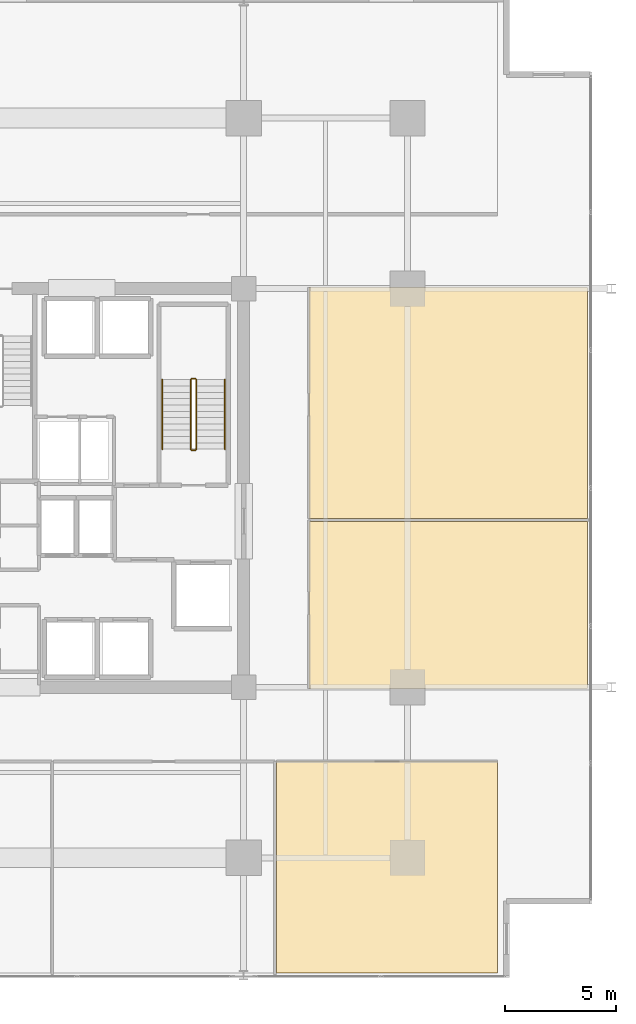
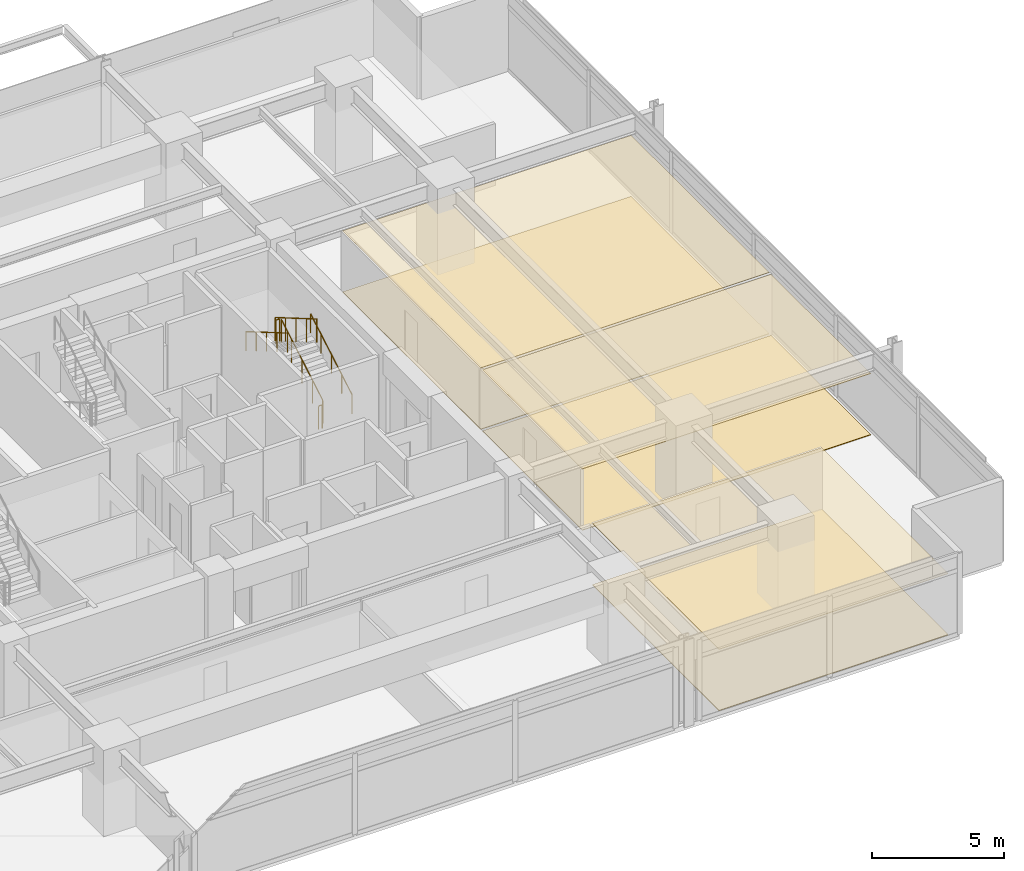
# One storey, part 19 of 20: 6 coverings, 6 railings.
"""IFC4 building model written with IfcOpenShell, lengths in metres."""

from ifc_helpers import new_model, si_unit, direction, frame, origin, origin_2d, place, context, subcontext, project, spatial, polyline, circle, outline, extrude, material, layer, layer_set, type_object, element, save


model = new_model("IFC4")

# Units and contexts
model_context = context("Model", 3, precision=1e-05, world=origin(), true_north=direction((0.0, 1.0)))
body_context = subcontext(model_context, "Body", "Model", "MODEL_VIEW")
ifc_project = project(units=[si_unit("LENGTHUNIT", "METRE"), si_unit("AREAUNIT", "SQUARE_METRE"), si_unit("VOLUMEUNIT", "CUBIC_METRE"), si_unit("PLANEANGLEUNIT", "RADIAN"), si_unit("MASSUNIT", "GRAM", prefix="KILO")], contexts=[model_context])

# Site, building, storey
site_placement = place(None, origin())
site = spatial("IfcSite", under=ifc_project, at=site_placement, CompositionType="ELEMENT")
building_placement = place(site_placement, origin())
building = spatial("IfcBuilding", under=site, at=building_placement, Name="Kovane Verandah Tower", CompositionType="ELEMENT")
storey_placement = place(building_placement, frame((0.0, 0.0, 160.39990234375)))
storey = spatial("IfcBuildingStorey", under=building, at=storey_placement, Name="L37", CompositionType="ELEMENT", Elevation=160.39990234375)

# Coverings
ifc_material_1 = material(Name="Perforated Acoustic Mineral-Fibre Ceiling Tile", Category="gypsum")
ifc_layer_1 = layer(ifc_material_1, 0.02490234375)
ifc_layer_set_1 = layer_set([ifc_layer_1], Name="Perforated Acoustic Mineral-Fibre Ceiling Tile")
covering_type_1 = type_object("IfcCoveringType", Name="CV-CEIL-25", PredefinedType="CEILING", material=ifc_layer_set_1)
covering_1_placement = place(storey_placement, frame((0.0, 0.0, 2.8251953125)))
element("IfcCovering", 1, at=covering_1_placement, inside=storey, type_object=covering_type_1, Name="L37 Executive Office S4 Acoustic Ceiling", PredefinedType="CEILING", context=body_context, shape_type="SweptSolid", body=[
    extrude(outline(polyline([(52.484130859375, 5.588623046875), (62.472412109375, 5.588623046875), (62.472412109375, 15.14990234375), (52.484130859375, 15.14990234375), (52.484130859375, 5.588623046875)])), origin(), (0.0, 0.0, 1.0), 0.02490234375),
])
covering_2_placement = place(storey_placement, frame((0.0, 0.0, 2.8251953125)))
element("IfcCovering", 2, at=covering_2_placement, inside=storey, type_object=covering_type_1, Name="L37 Breakout Pantry E1 Acoustic Ceiling", PredefinedType="CEILING", context=body_context, shape_type="SweptSolid", body=[
    extrude(outline(polyline([(53.949951171875, 18.449951171875), (66.5224609375, 18.449951171875), (66.5224609375, 25.98193359375), (53.949951171875, 25.98193359375), (53.949951171875, 18.449951171875)])), origin(), (0.0, 0.0, 1.0), 0.02490234375),
])
covering_3_placement = place(storey_placement, frame((0.0, 0.0, 2.8251953125)))
element("IfcCovering", 3, at=covering_3_placement, inside=storey, type_object=covering_type_1, Name="L37 Collaboration Hub E2 Acoustic Ceiling", PredefinedType="CEILING", context=body_context, shape_type="SweptSolid", body=[
    extrude(outline(polyline([(53.949951171875, 26.1220703125), (66.5224609375, 26.1220703125), (66.5224609375, 36.550048828125), (53.949951171875, 36.550048828125), (53.949951171875, 26.1220703125)])), origin(), (0.0, 0.0, 1.0), 0.02490234375),
])
ifc_material_2 = material(Name="Polished Terrazzo and Raised-Access Carpet Tile Finish", Category="concrete")
ifc_layer_2 = layer(ifc_material_2, 0.030029296875)
ifc_layer_set_2 = layer_set([ifc_layer_2], Name="Polished Terrazzo and Raised-Access Carpet Tile Finish")
covering_type_2 = type_object("IfcCoveringType", Name="CV-FLOR-30", PredefinedType="FLOORING", material=ifc_layer_set_2)
covering_4_placement = place(storey_placement, origin())
element("IfcCovering", 4, at=covering_4_placement, inside=storey, type_object=covering_type_2, Name="L37 Executive Office S4 Floor Finish", PredefinedType="FLOORING", context=body_context, shape_type="SweptSolid", body=[
    extrude(outline(polyline([(52.484130859375, 5.588623046875), (62.472412109375, 5.588623046875), (62.472412109375, 15.14990234375), (52.484130859375, 15.14990234375), (52.484130859375, 5.588623046875)])), origin(), (0.0, 0.0, 1.0), 0.030029296875),
])
covering_5_placement = place(storey_placement, origin())
element("IfcCovering", 5, at=covering_5_placement, inside=storey, type_object=covering_type_2, Name="L37 Breakout Pantry E1 Floor Finish", PredefinedType="FLOORING", context=body_context, shape_type="SweptSolid", body=[
    extrude(outline(polyline([(53.949951171875, 18.449951171875), (66.5224609375, 18.449951171875), (66.5224609375, 25.98193359375), (53.949951171875, 25.98193359375), (53.949951171875, 18.449951171875)])), origin(), (0.0, 0.0, 1.0), 0.030029296875),
])
covering_6_placement = place(storey_placement, origin())
element("IfcCovering", 6, at=covering_6_placement, inside=storey, type_object=covering_type_2, Name="L37 Collaboration Hub E2 Floor Finish", PredefinedType="FLOORING", context=body_context, shape_type="SweptSolid", body=[
    extrude(outline(polyline([(53.949951171875, 26.1220703125), (66.5224609375, 26.1220703125), (66.5224609375, 36.550048828125), (53.949951171875, 36.550048828125), (53.949951171875, 26.1220703125)])), origin(), (0.0, 0.0, 1.0), 0.030029296875),
])

# Railings
ifc_material_3 = material(Name="Brushed Stainless Steel Handrail", Category="steel")
railing_type_1 = type_object("IfcRailingType", Name="RL-HAND-920", PredefinedType="HANDRAIL", material=ifc_material_3)
railing_1_placement = place(storey_placement, frame((50.14990234375, 29.25, 0.166748046875)))
element("IfcRailing", 7, at=railing_1_placement, inside=storey, type_object=railing_type_1, Name="L37 ST-02 stair handrail 1", PredefinedType="HANDRAIL", context=body_context, shape_type="SweptSolid", body=[
    extrude(circle(Radius=0.02392578125, at=origin_2d()), frame((0.0, 0.0, 0.8759765625), z_axis=(0.0, 0.863239559939, 0.504794475164), x_axis=(-1.0, 0.0, 0.0)), (0.0, 0.0, 1.0), 3.631591796875),
    extrude(circle(Radius=0.02099609375, at=origin_2d()), origin(), (0.0, 0.0, 1.0), 0.851806640625),
    extrude(circle(Radius=0.02099609375, at=origin_2d()), frame((0.0, 0.78369140625, 0.458251953125)), (0.0, 0.0, 1.0), 0.851806640625),
    extrude(circle(Radius=0.02099609375, at=origin_2d()), frame((0.0, 1.5673828125, 0.91650390625)), (0.0, 0.0, 1.0), 0.851806640625),
    extrude(circle(Radius=0.02099609375, at=origin_2d()), frame((0.0, 2.351318359375, 1.375)), (0.0, 0.0, 1.0), 0.851806640625),
    extrude(circle(Radius=0.02099609375, at=origin_2d()), frame((0.0, 3.135009765625, 1.833251953125)), (0.0, 0.0, 1.0), 0.851806640625),
])
railing_2_placement = place(storey_placement, frame((47.330078125, 32.385009765625, 2.166748046875)))
element("IfcRailing", 8, at=railing_2_placement, inside=storey, type_object=railing_type_1, Name="L37 ST-02 stair handrail 2", PredefinedType="HANDRAIL", context=body_context, shape_type="SweptSolid", body=[
    extrude(circle(Radius=0.02392578125, at=origin_2d()), frame((0.0, 0.0, 0.8759765625), z_axis=(0.0, -0.863239559939, 0.504794475164), x_axis=(1.0, 0.0, 0.0)), (0.0, 0.0, 1.0), 3.631591796875),
    extrude(circle(Radius=0.02099609375, at=origin_2d()), origin(), (0.0, 0.0, 1.0), 0.851806640625),
    extrude(circle(Radius=0.02099609375, at=origin_2d()), frame((0.0, -0.78369140625, 0.458251953125)), (0.0, 0.0, 1.0), 0.851806640625),
    extrude(circle(Radius=0.02099609375, at=origin_2d()), frame((0.0, -1.5673828125, 0.91650390625)), (0.0, 0.0, 1.0), 0.851806640625),
    extrude(circle(Radius=0.02099609375, at=origin_2d()), frame((0.0, -2.351318359375, 1.375)), (0.0, 0.0, 1.0), 0.851806640625),
    extrude(circle(Radius=0.02099609375, at=origin_2d()), frame((0.0, -3.135009765625, 1.833251953125)), (0.0, 0.0, 1.0), 0.851806640625),
])
ifc_material_4 = material(Name="Painted Steel Stairwell Guardrail", Category="steel")
railing_type_2 = type_object("IfcRailingType", Name="RL-STGUARD-1120", PredefinedType="GUARDRAIL", material=ifc_material_4)
railing_3_placement = place(storey_placement, frame((48.8701171875, 29.25, 0.166748046875)))
element("IfcRailing", 9, at=railing_3_placement, inside=storey, type_object=railing_type_2, Name="L37 ST-02 stair guard 1", PredefinedType="GUARDRAIL", context=body_context, shape_type="SweptSolid", body=[
    extrude(circle(Radius=0.02392578125, at=origin_2d()), frame((0.0, 0.0, 1.076171875), z_axis=(0.0, 0.863239559939, 0.504794475164), x_axis=(-1.0, 0.0, 0.0)), (0.0, 0.0, 1.0), 3.631591796875),
    extrude(circle(Radius=0.02099609375, at=origin_2d()), origin(), (0.0, 0.0, 1.0), 1.052001953125),
    extrude(circle(Radius=0.02099609375, at=origin_2d()), frame((0.0, 0.78369140625, 0.458251953125)), (0.0, 0.0, 1.0), 1.052001953125),
    extrude(circle(Radius=0.02099609375, at=origin_2d()), frame((0.0, 1.5673828125, 0.91650390625)), (0.0, 0.0, 1.0), 1.052001953125),
    extrude(circle(Radius=0.02099609375, at=origin_2d()), frame((0.0, 2.351318359375, 1.375)), (0.0, 0.0, 1.0), 1.052001953125),
    extrude(circle(Radius=0.02099609375, at=origin_2d()), frame((0.0, 3.135009765625, 1.833251953125)), (0.0, 0.0, 1.0), 1.052001953125),
])
railing_4_placement = place(storey_placement, frame((48.820068359375, 32.43505859375, 2.0)))
element("IfcRailing", 10, at=railing_4_placement, inside=storey, type_object=railing_type_2, Name="L37 ST-02 stair guard 2", PredefinedType="GUARDRAIL", context=body_context, shape_type="SweptSolid", body=[
    extrude(circle(Radius=0.02392578125, at=origin_2d()), frame((0.0, 0.0, 1.076171875), z_axis=(-1.0, 0.0, 0.0), x_axis=(0.0, -1.0, 0.0)), (0.0, 0.0, 1.0), 0.16015625),
    extrude(circle(Radius=0.02099609375, at=origin_2d()), origin(), (0.0, 0.0, 1.0), 1.052001953125),
    extrude(circle(Radius=0.02099609375, at=origin_2d()), frame((-0.16015625, 0.0, 0.0)), (0.0, 0.0, 1.0), 1.052001953125),
])
railing_5_placement = place(storey_placement, frame((48.610107421875, 32.385009765625, 2.166748046875)))
element("IfcRailing", 11, at=railing_5_placement, inside=storey, type_object=railing_type_2, Name="L37 ST-02 stair guard 3", PredefinedType="GUARDRAIL", context=body_context, shape_type="SweptSolid", body=[
    extrude(circle(Radius=0.02392578125, at=origin_2d()), frame((0.0, 0.0, 1.076171875), z_axis=(0.0, -0.863239559939, 0.504794475164), x_axis=(1.0, 0.0, 0.0)), (0.0, 0.0, 1.0), 3.631591796875),
    extrude(circle(Radius=0.02099609375, at=origin_2d()), origin(), (0.0, 0.0, 1.0), 1.052001953125),
    extrude(circle(Radius=0.02099609375, at=origin_2d()), frame((0.0, -0.78369140625, 0.458251953125)), (0.0, 0.0, 1.0), 1.052001953125),
    extrude(circle(Radius=0.02099609375, at=origin_2d()), frame((0.0, -1.5673828125, 0.91650390625)), (0.0, 0.0, 1.0), 1.052001953125),
    extrude(circle(Radius=0.02099609375, at=origin_2d()), frame((0.0, -2.351318359375, 1.375)), (0.0, 0.0, 1.0), 1.052001953125),
    extrude(circle(Radius=0.02099609375, at=origin_2d()), frame((0.0, -3.135009765625, 1.833251953125)), (0.0, 0.0, 1.0), 1.052001953125),
])
railing_6_placement = place(storey_placement, frame((48.820068359375, 29.199951171875, 0.0)))
element("IfcRailing", 12, at=railing_6_placement, inside=storey, type_object=railing_type_2, Name="L37 ST-02 stair guard 4", PredefinedType="GUARDRAIL", context=body_context, shape_type="SweptSolid", body=[
    extrude(circle(Radius=0.02392578125, at=origin_2d()), frame((0.0, 0.0, 1.076171875), z_axis=(-1.0, 0.0, 0.0), x_axis=(0.0, -1.0, 0.0)), (0.0, 0.0, 1.0), 0.16015625),
    extrude(circle(Radius=0.02099609375, at=origin_2d()), origin(), (0.0, 0.0, 1.0), 1.052001953125),
    extrude(circle(Radius=0.02099609375, at=origin_2d()), frame((-0.16015625, 0.0, 0.0)), (0.0, 0.0, 1.0), 1.052001953125),
])

save(model, "model.ifc")
